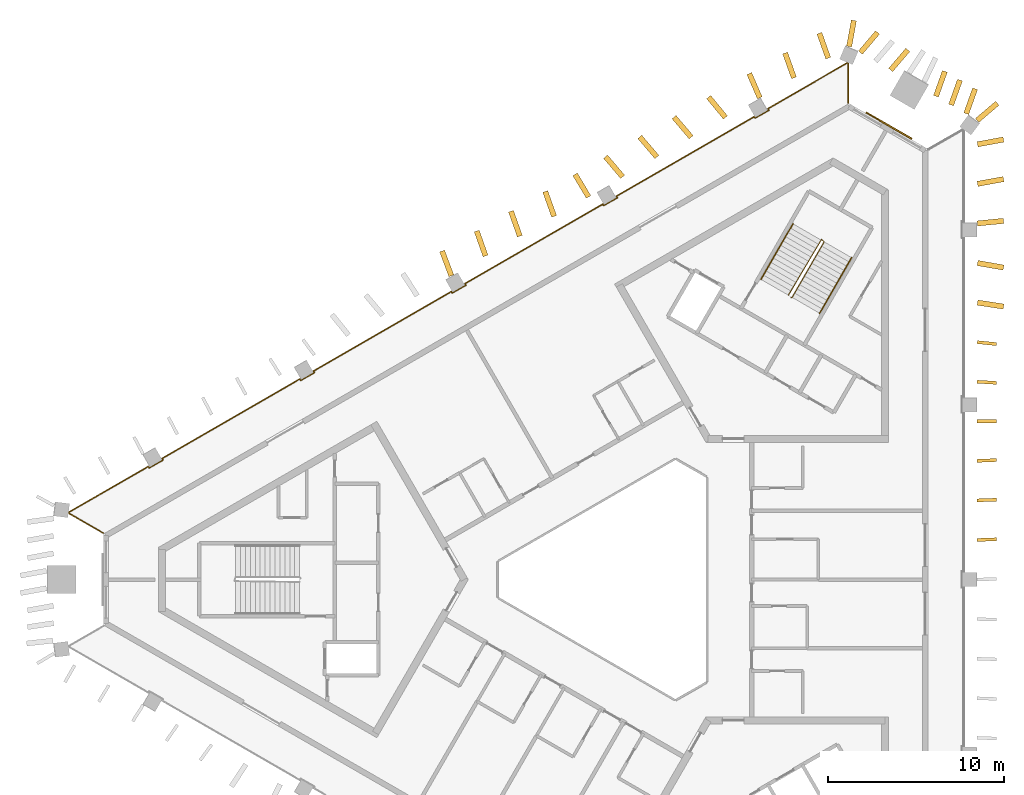
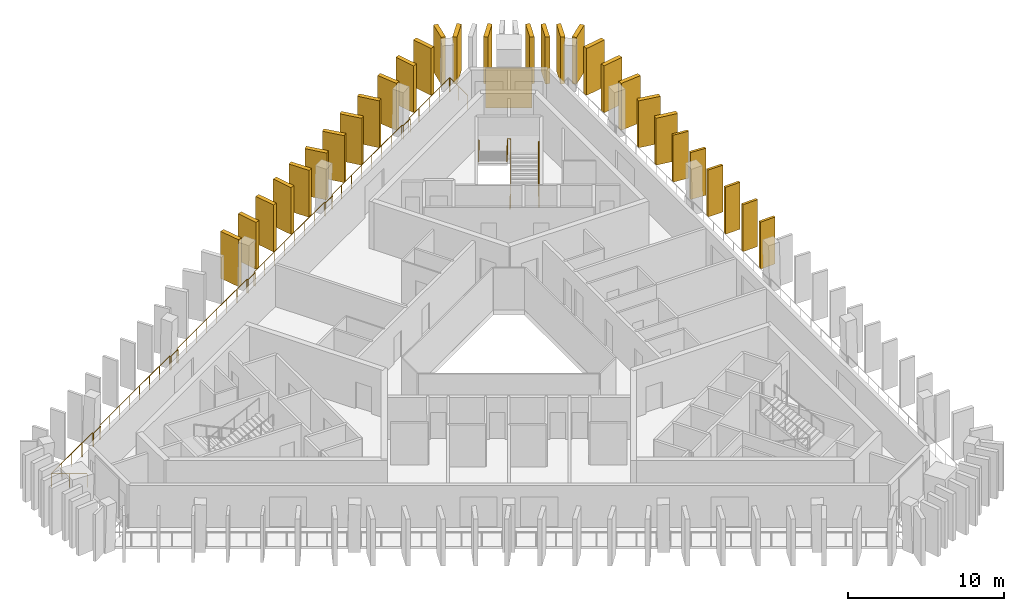
# One storey, part 9 of 10: 30 shading devices, 4 railings, 1 covering.
"""IFC4 building model written with IfcOpenShell, lengths in metres."""

from ifc_helpers import new_model, si_unit, direction, frame, frame_2d, origin, origin_2d, place, context, subcontext, project, spatial, rectangle, circle, extrude, material, layer, layer_set, type_object, element, save


model = new_model("IFC4")

# Units and contexts
model_context = context("Model", 3, precision=1e-05, world=origin(), true_north=direction((0.0, 1.0)))
body_context = subcontext(model_context, "Body", "Model", "MODEL_VIEW")
ifc_project = project(units=[si_unit("LENGTHUNIT", "METRE"), si_unit("AREAUNIT", "SQUARE_METRE"), si_unit("VOLUMEUNIT", "CUBIC_METRE"), si_unit("PLANEANGLEUNIT", "RADIAN"), si_unit("MASSUNIT", "GRAM", prefix="KILO")], contexts=[model_context])

# Site, building, storey
site_placement = place(None, origin())
site = spatial("IfcSite", under=ifc_project, at=site_placement, CompositionType="ELEMENT")
building_placement = place(site_placement, origin())
building = spatial("IfcBuilding", under=site, at=building_placement, Name="Jabali Bay Hotel Tower and Convention Centre", CompositionType="ELEMENT")
storey_placement = place(building_placement, frame((0.0, 0.0, 255.300048828125)))
storey = spatial("IfcBuildingStorey", under=building, at=storey_placement, Name="L62", CompositionType="ELEMENT", Elevation=255.300048828125)

# Railing
ifc_material_1 = material(Name="Glass", Category="glass")
railing_type_1 = type_object("IfcRailingType", Name="Loggia glass guard 1100", PredefinedType="BALUSTRADE", material=ifc_material_1)
railing_1_placement = place(storey_placement, frame((45.265625, 82.6376953125, 0.0)))
element("IfcRailing", 1, at=railing_1_placement, inside=storey, type_object=railing_type_1, Name="Loggia glass guard L62", PredefinedType="BALUSTRADE", context=body_context, shape_type="SweptSolid", body=[
    extrude(circle(Radius=0.02490234375, at=origin_2d()), frame((0.0, 0.0, 1.0751953125), z_axis=(-0.866008641419, 0.500029032144, 0.0), x_axis=(-0.495751214457, -0.85859981744, 0.13052619222)), (0.0, 0.0, 1.0), 2.274658203125),
    extrude(circle(Radius=0.02490234375, at=origin_2d()), frame((-1.969970703125, 1.137451171875, 1.0751953125), z_axis=(0.124034734589, 0.992277876714, 0.0), x_axis=(-0.983788801923, 0.12297360024, 0.13052619222)), (0.0, 0.0, 1.0), 0.037353515625),
    extrude(circle(Radius=0.02490234375, at=origin_2d()), frame((-1.96533203125, 1.174560546875, 1.0751953125), z_axis=(0.866022091585, 0.500005736855, 0.0), x_axis=(-0.495728118462, 0.858613152538, 0.13052619222)), (0.0, 0.0, 1.0), 5.22216796875),
    extrude(circle(Radius=0.02490234375, at=origin_2d()), frame((2.55712890625, 3.78564453125, 1.0751953125), z_axis=(0.4982416694, -0.867038199201, 0.0), x_axis=(0.859620567213, 0.493979142849, 0.13052619222)), (0.0, 0.0, 1.0), 0.099853515625),
    extrude(circle(Radius=0.02490234375, at=origin_2d()), frame((2.60693359375, 3.698974609375, 1.0751953125), z_axis=(0.866081705922, 0.499902469156, 0.0), x_axis=(-0.495625734232, 0.858672256866, 0.13052619222)), (0.0, 0.0, 1.0), 0.900146484375),
    extrude(circle(Radius=0.02490234375, at=origin_2d()), frame((3.386474609375, 4.14892578125, 1.0751953125), z_axis=(-0.500074377092, 0.865982457891, 0.0), x_axis=(-0.858573857916, -0.495796171473, 0.13052619222)), (0.0, 0.0, 1.0), 0.10009765625),
    extrude(circle(Radius=0.02490234375, at=origin_2d()), frame((3.33642578125, 4.235595703125, 1.0751953125), z_axis=(0.866021835202, 0.500006180915, 0.0), x_axis=(-0.495728558723, 0.858612898349, 0.13052619222)), (0.0, 0.0, 1.0), 9.03759765625),
    extrude(circle(Radius=0.02490234375, at=origin_2d()), frame((11.1630859375, 8.75439453125, 1.0751953125), z_axis=(0.4982416694, -0.867038199201, 0.0), x_axis=(0.859620567213, 0.493979142849, 0.13052619222)), (0.0, 0.0, 1.0), 0.099853515625),
    extrude(circle(Radius=0.02490234375, at=origin_2d()), frame((11.212890625, 8.667724609375, 1.0751953125), z_axis=(0.866081705922, 0.499902469156, 0.0), x_axis=(-0.495625734232, 0.858672256866, 0.13052619222)), (0.0, 0.0, 1.0), 0.900146484375),
    extrude(circle(Radius=0.02490234375, at=origin_2d()), frame((11.992431640625, 9.11767578125, 1.0751953125), z_axis=(-0.500074377092, 0.865982457891, 0.0), x_axis=(-0.858573857916, -0.495796171473, 0.13052619222)), (0.0, 0.0, 1.0), 0.10009765625),
    extrude(circle(Radius=0.02490234375, at=origin_2d()), frame((11.9423828125, 9.204345703125, 1.0751953125), z_axis=(0.86603353272, 0.499985920007, 0.0), x_axis=(-0.49570847115, 0.858624495792, 0.13052619222)), (0.0, 0.0, 1.0), 9.037353515625),
    extrude(circle(Radius=0.02490234375, at=origin_2d()), frame((19.76904296875, 13.722900390625, 1.0751953125), z_axis=(0.4982416694, -0.867038199201, 0.0), x_axis=(0.859620567213, 0.493979142849, 0.13052619222)), (0.0, 0.0, 1.0), 0.099853515625),
    extrude(circle(Radius=0.02490234375, at=origin_2d()), frame((19.81884765625, 13.63623046875, 1.0751953125), z_axis=(0.865964261186, 0.500105887137, 0.0), x_axis=(-0.495827411944, 0.858555816886, 0.13052619222)), (0.0, 0.0, 1.0), 0.900146484375),
    extrude(circle(Radius=0.02490234375, at=origin_2d()), frame((20.598388671875, 14.08642578125, 1.0751953125), z_axis=(-0.501132629342, 0.865370491644, 0.0), x_axis=(-0.857967127125, -0.496845370228, 0.13052619222)), (0.0, 0.0, 1.0), 0.099853515625),
    extrude(circle(Radius=0.02490234375, at=origin_2d()), frame((20.54833984375, 14.1728515625, 1.0751953125), z_axis=(0.866021835202, 0.500006180915, 0.0), x_axis=(-0.495728558723, 0.858612898349, 0.13052619222)), (0.0, 0.0, 1.0), 9.03759765625),
    extrude(circle(Radius=0.02490234375, at=origin_2d()), frame((28.375, 18.691650390625, 1.0751953125), z_axis=(0.4982416694, -0.867038199201, 0.0), x_axis=(0.859620567213, 0.493979142849, 0.13052619222)), (0.0, 0.0, 1.0), 0.099853515625),
    extrude(circle(Radius=0.02490234375, at=origin_2d()), frame((28.4248046875, 18.60498046875, 1.0751953125), z_axis=(0.866081705922, 0.499902469156, 0.0), x_axis=(-0.495625734232, 0.858672256866, 0.13052619222)), (0.0, 0.0, 1.0), 0.900146484375),
    extrude(circle(Radius=0.02490234375, at=origin_2d()), frame((29.204345703125, 19.054931640625, 1.0751953125), z_axis=(-0.500074377092, 0.865982457891, 0.0), x_axis=(-0.858573857916, -0.495796171473, 0.13052619222)), (0.0, 0.0, 1.0), 0.10009765625),
    extrude(circle(Radius=0.02490234375, at=origin_2d()), frame((29.154296875, 19.1416015625, 1.0751953125), z_axis=(0.86603353272, 0.499985920007, 0.0), x_axis=(-0.49570847115, 0.858624495792, 0.13052619222)), (0.0, 0.0, 1.0), 9.037353515625),
    extrude(circle(Radius=0.02490234375, at=origin_2d()), frame((36.98095703125, 23.66015625, 1.0751953125), z_axis=(0.499298623879, -0.866429964967, 0.0), x_axis=(0.859017536507, 0.495027054936, 0.13052619222)), (0.0, 0.0, 1.0), 0.099853515625),
    extrude(circle(Radius=0.02490234375, at=origin_2d()), frame((37.03076171875, 23.57373046875, 1.0751953125), z_axis=(0.866081705922, 0.499902469156, 0.0), x_axis=(-0.495625734232, 0.858672256866, 0.13052619222)), (0.0, 0.0, 1.0), 0.900146484375),
    extrude(circle(Radius=0.02490234375, at=origin_2d()), frame((37.810302734375, 24.023681640625, 1.0751953125), z_axis=(-0.501132629342, 0.865370491644, 0.0), x_axis=(-0.857967127125, -0.496845370228, 0.13052619222)), (0.0, 0.0, 1.0), 0.099853515625),
    extrude(circle(Radius=0.02490234375, at=origin_2d()), frame((37.76025390625, 24.110107421875, 1.0751953125), z_axis=(0.866022091585, 0.500005736855, 0.0), x_axis=(-0.495728118462, 0.858613152538, 0.13052619222)), (0.0, 0.0, 1.0), 5.22216796875),
    extrude(circle(Radius=0.02490234375, at=origin_2d()), frame((42.28271484375, 26.72119140625, 1.0751953125), z_axis=(0.920154635629, -0.391555164097, 0.0), x_axis=(0.388205355389, 0.912282585163, 0.13052619222)), (0.0, 0.0, 1.0), 0.037353515625),
    extrude(circle(Radius=0.02490234375, at=origin_2d()), frame((42.317138671875, 26.70654296875, 1.0751953125), z_axis=(0.0, -1.0, 0.0), x_axis=(0.991444861374, 0.0, 0.13052619222)), (0.0, 0.0, 1.0), 2.274658203125),
    extrude(circle(Radius=0.02001953125, at=origin_2d()), origin(), (0.0, 0.0, 1.0), 1.050048828125),
    extrude(circle(Radius=0.02001953125, at=origin_2d()), frame((-0.98486328125, 0.56884765625, 0.0)), (0.0, 0.0, 1.0), 1.050048828125),
    extrude(circle(Radius=0.02001953125, at=origin_2d()), frame((-1.969970703125, 1.137451171875, 0.0)), (0.0, 0.0, 1.0), 1.050048828125),
    extrude(circle(Radius=0.02001953125, at=origin_2d()), frame((-1.96533203125, 1.174560546875, 0.0)), (0.0, 0.0, 1.0), 1.050048828125),
    extrude(circle(Radius=0.02001953125, at=origin_2d()), frame((-0.834716796875, 1.827392578125, 0.0)), (0.0, 0.0, 1.0), 1.050048828125),
    extrude(circle(Radius=0.02001953125, at=origin_2d()), frame((0.2958984375, 2.47998046875, 0.0)), (0.0, 0.0, 1.0), 1.050048828125),
    extrude(circle(Radius=0.02001953125, at=origin_2d()), frame((1.426513671875, 3.1328125, 0.0)), (0.0, 0.0, 1.0), 1.050048828125),
    extrude(circle(Radius=0.02001953125, at=origin_2d()), frame((2.55712890625, 3.78564453125, 0.0)), (0.0, 0.0, 1.0), 1.050048828125),
    extrude(circle(Radius=0.02001953125, at=origin_2d()), frame((2.60693359375, 3.698974609375, 0.0)), (0.0, 0.0, 1.0), 1.050048828125),
    extrude(circle(Radius=0.02001953125, at=origin_2d()), frame((3.386474609375, 4.14892578125, 0.0)), (0.0, 0.0, 1.0), 1.050048828125),
    extrude(circle(Radius=0.02001953125, at=origin_2d()), frame((3.33642578125, 4.235595703125, 0.0)), (0.0, 0.0, 1.0), 1.050048828125),
    extrude(circle(Radius=0.02001953125, at=origin_2d()), frame((4.45458984375, 4.881103515625, 0.0)), (0.0, 0.0, 1.0), 1.050048828125),
    extrude(circle(Radius=0.02001953125, at=origin_2d()), frame((5.572509765625, 5.526611328125, 0.0)), (0.0, 0.0, 1.0), 1.050048828125),
    extrude(circle(Radius=0.02001953125, at=origin_2d()), frame((6.690673828125, 6.172119140625, 0.0)), (0.0, 0.0, 1.0), 1.050048828125),
    extrude(circle(Radius=0.02001953125, at=origin_2d()), frame((7.808837890625, 6.81787109375, 0.0)), (0.0, 0.0, 1.0), 1.050048828125),
    extrude(circle(Radius=0.02001953125, at=origin_2d()), frame((8.927001953125, 7.46337890625, 0.0)), (0.0, 0.0, 1.0), 1.050048828125),
    extrude(circle(Radius=0.02001953125, at=origin_2d()), frame((10.044921875, 8.10888671875, 0.0)), (0.0, 0.0, 1.0), 1.050048828125),
    extrude(circle(Radius=0.02001953125, at=origin_2d()), frame((11.1630859375, 8.75439453125, 0.0)), (0.0, 0.0, 1.0), 1.050048828125),
    extrude(circle(Radius=0.02001953125, at=origin_2d()), frame((11.212890625, 8.667724609375, 0.0)), (0.0, 0.0, 1.0), 1.050048828125),
    extrude(circle(Radius=0.02001953125, at=origin_2d()), frame((11.992431640625, 9.11767578125, 0.0)), (0.0, 0.0, 1.0), 1.050048828125),
    extrude(circle(Radius=0.02001953125, at=origin_2d()), frame((11.9423828125, 9.204345703125, 0.0)), (0.0, 0.0, 1.0), 1.050048828125),
    extrude(circle(Radius=0.02001953125, at=origin_2d()), frame((13.060546875, 9.849853515625, 0.0)), (0.0, 0.0, 1.0), 1.050048828125),
    extrude(circle(Radius=0.02001953125, at=origin_2d()), frame((14.178466796875, 10.495361328125, 0.0)), (0.0, 0.0, 1.0), 1.050048828125),
    extrude(circle(Radius=0.02001953125, at=origin_2d()), frame((15.296630859375, 11.140869140625, 0.0)), (0.0, 0.0, 1.0), 1.050048828125),
    extrude(circle(Radius=0.02001953125, at=origin_2d()), frame((16.414794921875, 11.786376953125, 0.0)), (0.0, 0.0, 1.0), 1.050048828125),
    extrude(circle(Radius=0.02001953125, at=origin_2d()), frame((17.532958984375, 12.431884765625, 0.0)), (0.0, 0.0, 1.0), 1.050048828125),
    extrude(circle(Radius=0.02001953125, at=origin_2d()), frame((18.65087890625, 13.077392578125, 0.0)), (0.0, 0.0, 1.0), 1.050048828125),
    extrude(circle(Radius=0.02001953125, at=origin_2d()), frame((19.76904296875, 13.722900390625, 0.0)), (0.0, 0.0, 1.0), 1.050048828125),
    extrude(circle(Radius=0.02001953125, at=origin_2d()), frame((19.81884765625, 13.63623046875, 0.0)), (0.0, 0.0, 1.0), 1.050048828125),
    extrude(circle(Radius=0.02001953125, at=origin_2d()), frame((20.598388671875, 14.08642578125, 0.0)), (0.0, 0.0, 1.0), 1.050048828125),
    extrude(circle(Radius=0.02001953125, at=origin_2d()), frame((20.54833984375, 14.1728515625, 0.0)), (0.0, 0.0, 1.0), 1.050048828125),
    extrude(circle(Radius=0.02001953125, at=origin_2d()), frame((21.66650390625, 14.818359375, 0.0)), (0.0, 0.0, 1.0), 1.050048828125),
    extrude(circle(Radius=0.02001953125, at=origin_2d()), frame((22.784423828125, 15.4638671875, 0.0)), (0.0, 0.0, 1.0), 1.050048828125),
    extrude(circle(Radius=0.02001953125, at=origin_2d()), frame((23.902587890625, 16.109375, 0.0)), (0.0, 0.0, 1.0), 1.050048828125),
    extrude(circle(Radius=0.02001953125, at=origin_2d()), frame((25.020751953125, 16.755126953125, 0.0)), (0.0, 0.0, 1.0), 1.050048828125),
    extrude(circle(Radius=0.02001953125, at=origin_2d()), frame((26.138916015625, 17.400634765625, 0.0)), (0.0, 0.0, 1.0), 1.050048828125),
    extrude(circle(Radius=0.02001953125, at=origin_2d()), frame((27.2568359375, 18.046142578125, 0.0)), (0.0, 0.0, 1.0), 1.050048828125),
    extrude(circle(Radius=0.02001953125, at=origin_2d()), frame((28.375, 18.691650390625, 0.0)), (0.0, 0.0, 1.0), 1.050048828125),
    extrude(circle(Radius=0.02001953125, at=origin_2d()), frame((28.4248046875, 18.60498046875, 0.0)), (0.0, 0.0, 1.0), 1.050048828125),
    extrude(circle(Radius=0.02001953125, at=origin_2d()), frame((29.204345703125, 19.054931640625, 0.0)), (0.0, 0.0, 1.0), 1.050048828125),
    extrude(circle(Radius=0.02001953125, at=origin_2d()), frame((29.154296875, 19.1416015625, 0.0)), (0.0, 0.0, 1.0), 1.050048828125),
    extrude(circle(Radius=0.02001953125, at=origin_2d()), frame((30.2724609375, 19.787109375, 0.0)), (0.0, 0.0, 1.0), 1.050048828125),
    extrude(circle(Radius=0.02001953125, at=origin_2d()), frame((31.390380859375, 20.4326171875, 0.0)), (0.0, 0.0, 1.0), 1.050048828125),
    extrude(circle(Radius=0.02001953125, at=origin_2d()), frame((32.508544921875, 21.078125, 0.0)), (0.0, 0.0, 1.0), 1.050048828125),
    extrude(circle(Radius=0.02001953125, at=origin_2d()), frame((33.626708984375, 21.7236328125, 0.0)), (0.0, 0.0, 1.0), 1.050048828125),
    extrude(circle(Radius=0.02001953125, at=origin_2d()), frame((34.744873046875, 22.369140625, 0.0)), (0.0, 0.0, 1.0), 1.050048828125),
    extrude(circle(Radius=0.02001953125, at=origin_2d()), frame((35.86279296875, 23.0146484375, 0.0)), (0.0, 0.0, 1.0), 1.050048828125),
    extrude(circle(Radius=0.02001953125, at=origin_2d()), frame((36.98095703125, 23.66015625, 0.0)), (0.0, 0.0, 1.0), 1.050048828125),
    extrude(circle(Radius=0.02001953125, at=origin_2d()), frame((37.03076171875, 23.57373046875, 0.0)), (0.0, 0.0, 1.0), 1.050048828125),
    extrude(circle(Radius=0.02001953125, at=origin_2d()), frame((37.810302734375, 24.023681640625, 0.0)), (0.0, 0.0, 1.0), 1.050048828125),
    extrude(circle(Radius=0.02001953125, at=origin_2d()), frame((37.76025390625, 24.110107421875, 0.0)), (0.0, 0.0, 1.0), 1.050048828125),
    extrude(circle(Radius=0.02001953125, at=origin_2d()), frame((38.890869140625, 24.762939453125, 0.0)), (0.0, 0.0, 1.0), 1.050048828125),
    extrude(circle(Radius=0.02001953125, at=origin_2d()), frame((40.021484375, 25.41552734375, 0.0)), (0.0, 0.0, 1.0), 1.050048828125),
    extrude(circle(Radius=0.02001953125, at=origin_2d()), frame((41.152099609375, 26.068359375, 0.0)), (0.0, 0.0, 1.0), 1.050048828125),
    extrude(circle(Radius=0.02001953125, at=origin_2d()), frame((42.28271484375, 26.72119140625, 0.0)), (0.0, 0.0, 1.0), 1.050048828125),
    extrude(circle(Radius=0.02001953125, at=origin_2d()), frame((42.317138671875, 26.70654296875, 0.0)), (0.0, 0.0, 1.0), 1.050048828125),
    extrude(circle(Radius=0.02001953125, at=origin_2d()), frame((42.317138671875, 25.5693359375, 0.0)), (0.0, 0.0, 1.0), 1.050048828125),
    extrude(circle(Radius=0.02001953125, at=origin_2d()), frame((42.317138671875, 24.431884765625, 0.0)), (0.0, 0.0, 1.0), 1.050048828125),
])

# Shading devices
ifc_material_2 = material(Name="Precast concrete C60", Category="concrete")
ifc_layer_1 = layer(ifc_material_2, 0.179931640625)
ifc_layer_set_1 = layer_set([ifc_layer_1], Name="Precast concrete C60")
shading_device_type_1 = type_object("IfcShadingDeviceType", Name="Precast fin 3680 x 1100", PredefinedType="USERDEFINED", material=ifc_layer_set_1)
for number, where, z_axis, x_axis, name in (
    (2, (94.90478515625, 82.24755859375, 0.010009765625), (0.0, 0.0, 1.0), (0.99932090172, 0.036847461059, 0.0), "Fin L62 012"),
    (3, (94.90478515625, 84.4951171875, 0.010009765625), (0.0, 0.0, 1.0), (0.9993044565, 0.03729079269, 0.0), "Fin L62 013"),
    (4, (94.905029296875, 86.742431640625, 0.010009765625), (0.0, 0.0, 1.0), (0.999236714695, 0.039063896443, 0.0), "Fin L62 014"),
):
    element("IfcShadingDevice", number, at=place(storey_placement, frame(where, z_axis=z_axis, x_axis=x_axis)), inside=storey, type_object=shading_device_type_1, Name=name, ObjectType="FIN", PredefinedType="USERDEFINED", context=body_context, shape_type="SweptSolid", body=[
        extrude(rectangle(XDim=1.099853515625, YDim=0.179931640625, at=frame_2d((0.5498046875, 0.0))), origin(), (0.0, 0.0, 1.0), 3.679931640625),
    ])
shading_device_1_placement = place(storey_placement, frame((94.90185546875, 88.989990234375, 0.010009765625), z_axis=(0.0, 0.0, 1.0), x_axis=(0.999989140267, 0.004660402118, 0.0)))
element("IfcShadingDevice", 5, at=shading_device_1_placement, inside=storey, type_object=shading_device_type_1, Name="Fin L62 015", ObjectType="FIN", PredefinedType="USERDEFINED", context=body_context, shape_type="SweptSolid", body=[
    extrude(rectangle(XDim=1.10009765625, YDim=0.179931640625, at=frame_2d((0.550048828125, 0.0))), origin(), (0.0, 0.0, 1.0), 3.679931640625),
])
for number, where, z_axis, x_axis, name in (
    (6, (94.906982421875, 91.237548828125, 0.010009765625), (0.0, 0.0, 1.0), (0.998162399296, -0.060595582612, 0.0), "Fin L62 016"),
    (7, (94.91064453125, 93.485107421875, 0.010009765625), (0.0, 0.0, 1.0), (0.994797022964, -0.101876803557, 0.0), "Fin L62 017"),
):
    element("IfcShadingDevice", number, at=place(storey_placement, frame(where, z_axis=z_axis, x_axis=x_axis)), inside=storey, type_object=shading_device_type_1, Name=name, ObjectType="FIN", PredefinedType="USERDEFINED", context=body_context, shape_type="SweptSolid", body=[
        extrude(rectangle(XDim=1.099853515625, YDim=0.179931640625, at=frame_2d((0.5498046875, 0.0))), origin(), (0.0, 0.0, 1.0), 3.679931640625),
    ])
ifc_layer_2 = layer(ifc_material_2, 0.300048828125)
ifc_layer_set_2 = layer_set([ifc_layer_2], Name="Precast concrete C60")
shading_device_type_2 = type_object("IfcShadingDeviceType", Name="Precast fin 3680 x 1500", PredefinedType="USERDEFINED", material=ifc_layer_set_2)
for number, where, z_axis, x_axis, name in (
    (8, (94.924072265625, 95.732421875, 0.010009765625), (0.0, 0.0, 1.0), (0.988650391726, -0.150234493178, 0.0), "Fin L62 018"),
    (9, (94.927490234375, 97.97998046875, 0.010009765625), (0.0, 0.0, 1.0), (0.98491763115, -0.173023870751, 0.0), "Fin L62 019"),
    (10, (94.916015625, 100.2275390625, 0.010009765625), (0.0, 0.0, 1.0), (0.995268109832, 0.097166813012, 0.0), "Fin L62 020"),
    (11, (94.928466796875, 102.47509765625, 0.010009765625), (0.0, 0.0, 1.0), (0.983603189001, 0.180346240843, 0.0), "Fin L62 021"),
    (12, (94.928466796875, 104.72265625, 0.010009765625), (0.0, 0.0, 1.0), (0.983545395653, 0.180661159883, 0.0), "Fin L62 022"),
    (13, (94.28564453125, 106.464111328125, 0.010009765625), (0.0, 0.0, 1.0), (0.335305076677, 0.942109603791, 0.0), "Fin L62 023"),
):
    element("IfcShadingDevice", number, at=place(storey_placement, frame(where, z_axis=z_axis, x_axis=x_axis)), inside=storey, type_object=shading_device_type_2, Name=name, ObjectType="FIN", PredefinedType="USERDEFINED", context=body_context, shape_type="SweptSolid", body=[
        extrude(rectangle(XDim=1.5, YDim=0.300048828125, at=frame_2d((0.75, 0.0))), origin(), (0.0, 0.0, 1.0), 3.679931640625),
    ])
shading_device_2_placement = place(storey_placement, frame((93.427001953125, 106.959716796875, 0.010009765625), z_axis=(0.0, 0.0, 1.0), x_axis=(0.335253666146, 0.94212789967, 0.0)))
element("IfcShadingDevice", 14, at=shading_device_2_placement, inside=storey, type_object=shading_device_type_2, Name="Fin L62 024", ObjectType="FIN", PredefinedType="USERDEFINED", context=body_context, shape_type="SweptSolid", body=[
    extrude(rectangle(XDim=1.500244140625, YDim=0.300048828125, at=frame_2d((0.75, 0.0))), origin(), (0.0, 0.0, 1.0), 3.679931640625),
])
shading_device_3_placement = place(storey_placement, frame((92.568603515625, 107.455322265625, 0.010009765625), z_axis=(0.0, 0.0, 1.0), x_axis=(0.335109201498, 0.942179294546, 0.0)))
element("IfcShadingDevice", 15, at=shading_device_3_placement, inside=storey, type_object=shading_device_type_2, Name="Fin L62 025", ObjectType="FIN", PredefinedType="USERDEFINED", context=body_context, shape_type="SweptSolid", body=[
    extrude(rectangle(XDim=1.5, YDim=0.300048828125, at=frame_2d((0.75, 0.0))), origin(), (0.0, 0.0, 1.0), 3.679931640625),
])
shading_device_4_placement = place(storey_placement, frame((89.992919921875, 108.942626953125, 0.010009765625), z_axis=(0.0, 0.0, 1.0), x_axis=(0.648361637363, 0.761332507644, 0.0)))
element("IfcShadingDevice", 16, at=shading_device_4_placement, inside=storey, type_object=shading_device_type_2, Name="Fin L62 028", ObjectType="FIN", PredefinedType="USERDEFINED", context=body_context, shape_type="SweptSolid", body=[
    extrude(rectangle(XDim=1.499755859375, YDim=0.300048828125, at=frame_2d((0.75, 0.0))), origin(), (0.0, 0.0, 1.0), 3.679931640625),
])
shading_device_5_placement = place(storey_placement, frame((88.275634765625, 109.933837890625, 0.010009765625), z_axis=(0.0, 0.0, 1.0), x_axis=(0.64837563468, 0.761320587107, 0.0)))
element("IfcShadingDevice", 17, at=shading_device_5_placement, inside=storey, type_object=shading_device_type_2, Name="Fin L62 030", ObjectType="FIN", PredefinedType="USERDEFINED", context=body_context, shape_type="SweptSolid", body=[
    extrude(rectangle(XDim=1.500244140625, YDim=0.300048828125, at=frame_2d((0.75, 0.0))), origin(), (0.0, 0.0, 1.0), 3.679931640625),
])
shading_device_6_placement = place(storey_placement, frame((86.446044921875, 109.619873046875, 0.010009765625), z_axis=(0.0, 0.0, 1.0), x_axis=(-0.335109201498, 0.942179294546, 0.0)))
element("IfcShadingDevice", 18, at=shading_device_6_placement, inside=storey, type_object=shading_device_type_2, Name="Fin L62 031", ObjectType="FIN", PredefinedType="USERDEFINED", context=body_context, shape_type="SweptSolid", body=[
    extrude(rectangle(XDim=1.5, YDim=0.300048828125, at=frame_2d((0.75, 0.0))), origin(), (0.0, 0.0, 1.0), 3.679931640625),
])
for number, where, z_axis, x_axis, name in (
    (19, (84.499755859375, 108.49609375, 0.010009765625), (0.0, 0.0, 1.0), (-0.335253666146, 0.94212789967, 0.0), "Fin L62 032"),
    (20, (82.558349609375, 107.36376953125, 0.010009765625), (0.0, 0.0, 1.0), (-0.397589168562, 0.917563541692, 0.0), "Fin L62 033"),
):
    element("IfcShadingDevice", number, at=place(storey_placement, frame(where, z_axis=z_axis, x_axis=x_axis)), inside=storey, type_object=shading_device_type_2, Name=name, ObjectType="FIN", PredefinedType="USERDEFINED", context=body_context, shape_type="SweptSolid", body=[
        extrude(rectangle(XDim=1.500244140625, YDim=0.300048828125, at=frame_2d((0.75, 0.0))), origin(), (0.0, 0.0, 1.0), 3.679931640625),
    ])
shading_device_7_placement = place(storey_placement, frame((80.608154296875, 106.24658203125, 0.010009765625), z_axis=(0.0, 0.0, 1.0), x_axis=(-0.635707252861, 0.771930235617, 0.0)))
element("IfcShadingDevice", 21, at=shading_device_7_placement, inside=storey, type_object=shading_device_type_2, Name="Fin L62 034", ObjectType="FIN", PredefinedType="USERDEFINED", context=body_context, shape_type="SweptSolid", body=[
    extrude(rectangle(XDim=1.5, YDim=0.300048828125, at=frame_2d((0.75, 0.0))), origin(), (0.0, 0.0, 1.0), 3.679931640625),
])
for number, where, z_axis, x_axis, name in (
    (22, (78.660400390625, 105.125, 0.010009765625), (0.0, 0.0, 1.0), (-0.648361637363, 0.761332507644, 0.0), "Fin L62 035"),
    (23, (76.714111328125, 104.001220703125, 0.010009765625), (0.0, 0.0, 1.0), (-0.648361637363, 0.761332507644, 0.0), "Fin L62 036"),
):
    element("IfcShadingDevice", number, at=place(storey_placement, frame(where, z_axis=z_axis, x_axis=x_axis)), inside=storey, type_object=shading_device_type_2, Name=name, ObjectType="FIN", PredefinedType="USERDEFINED", context=body_context, shape_type="SweptSolid", body=[
        extrude(rectangle(XDim=1.499755859375, YDim=0.300048828125, at=frame_2d((0.75, 0.0))), origin(), (0.0, 0.0, 1.0), 3.679931640625),
    ])
shading_device_8_placement = place(storey_placement, frame((74.767822265625, 102.87744140625, 0.010009765625), z_axis=(0.0, 0.0, 1.0), x_axis=(-0.64837563468, 0.761320587107, 0.0)))
element("IfcShadingDevice", 24, at=shading_device_8_placement, inside=storey, type_object=shading_device_type_2, Name="Fin L62 037", ObjectType="FIN", PredefinedType="USERDEFINED", context=body_context, shape_type="SweptSolid", body=[
    extrude(rectangle(XDim=1.500244140625, YDim=0.300048828125, at=frame_2d((0.75, 0.0))), origin(), (0.0, 0.0, 1.0), 3.679931640625),
])
shading_device_9_placement = place(storey_placement, frame((72.833740234375, 101.732177734375, 0.010009765625), z_axis=(0.0, 0.0, 1.0), x_axis=(-0.512771115683, 0.858525353686, 0.0)))
element("IfcShadingDevice", 25, at=shading_device_9_placement, inside=storey, type_object=shading_device_type_2, Name="Fin L62 038", ObjectType="FIN", PredefinedType="USERDEFINED", context=body_context, shape_type="SweptSolid", body=[
    extrude(rectangle(XDim=1.499755859375, YDim=0.300048828125, at=frame_2d((0.75, 0.0))), origin(), (0.0, 0.0, 1.0), 3.679931640625),
])
shading_device_10_placement = place(storey_placement, frame((70.875, 100.6298828125, 0.010009765625), z_axis=(0.0, 0.0, 1.0), x_axis=(-0.335253666146, 0.94212789967, 0.0)))
element("IfcShadingDevice", 26, at=shading_device_10_placement, inside=storey, type_object=shading_device_type_2, Name="Fin L62 039", ObjectType="FIN", PredefinedType="USERDEFINED", context=body_context, shape_type="SweptSolid", body=[
    extrude(rectangle(XDim=1.500244140625, YDim=0.300048828125, at=frame_2d((0.75, 0.0))), origin(), (0.0, 0.0, 1.0), 3.679931640625),
])
shading_device_11_placement = place(storey_placement, frame((68.928466796875, 99.506103515625, 0.010009765625), z_axis=(0.0, 0.0, 1.0), x_axis=(-0.335109201498, 0.942179294546, 0.0)))
element("IfcShadingDevice", 27, at=shading_device_11_placement, inside=storey, type_object=shading_device_type_2, Name="Fin L62 040", ObjectType="FIN", PredefinedType="USERDEFINED", context=body_context, shape_type="SweptSolid", body=[
    extrude(rectangle(XDim=1.5, YDim=0.300048828125, at=frame_2d((0.75, 0.0))), origin(), (0.0, 0.0, 1.0), 3.679931640625),
])
shading_device_12_placement = place(storey_placement, frame((66.982177734375, 98.38232421875, 0.010009765625), z_axis=(0.0, 0.0, 1.0), x_axis=(-0.335253666146, 0.94212789967, 0.0)))
element("IfcShadingDevice", 28, at=shading_device_12_placement, inside=storey, type_object=shading_device_type_2, Name="Fin L62 041", ObjectType="FIN", PredefinedType="USERDEFINED", context=body_context, shape_type="SweptSolid", body=[
    extrude(rectangle(XDim=1.500244140625, YDim=0.300048828125, at=frame_2d((0.75, 0.0))), origin(), (0.0, 0.0, 1.0), 3.679931640625),
])
for number, where, z_axis, x_axis, name in (
    (29, (65.037109375, 97.25634765625, 0.010009765625), (0.0, 0.0, 1.0), (-0.351069931395, 0.936349242148, 0.0), "Fin L62 042"),
    (30, (94.907958984375, 106.0810546875, 0.010009765625), (0.0, 0.0, 1.0), (0.761400924151, 0.648281291341, 0.0), "Fin L62 094"),
    (31, (87.6328125, 110.281494140625, 0.010009765625), (0.0, 0.0, 1.0), (0.180818598576, 0.98351646372, 0.0), "Fin L62 095"),
):
    element("IfcShadingDevice", number, at=place(storey_placement, frame(where, z_axis=z_axis, x_axis=x_axis)), inside=storey, type_object=shading_device_type_2, Name=name, ObjectType="FIN", PredefinedType="USERDEFINED", context=body_context, shape_type="SweptSolid", body=[
        extrude(rectangle(XDim=1.5, YDim=0.300048828125, at=frame_2d((0.75, 0.0))), origin(), (0.0, 0.0, 1.0), 3.679931640625),
    ])

# Covering
ifc_material_3 = material(Name="Precast concrete C40/50", Category="concrete")
ifc_layer_3 = layer(ifc_material_3, 0.080078125)
ifc_layer_set_3 = layer_set([ifc_layer_3], Name="Precast concrete C40/50")
covering_type = type_object("IfcCoveringType", Name="Relief panel 3000 x 3100", PredefinedType="CLADDING", material=ifc_layer_set_3)
covering_placement = place(storey_placement, frame((89.88720703125, 105.785400390625, 0.099853515625), z_axis=(0.0, 0.0, 1.0), x_axis=(0.866025366565, -0.500000064465, 0.0)))
element("IfcCovering", 32, at=covering_placement, inside=storey, type_object=covering_type, Name="Relief panel L62", PredefinedType="CLADDING", context=body_context, shape_type="SweptSolid", body=[
    extrude(rectangle(XDim=3.0, YDim=0.080078125, at=origin_2d()), origin(), (0.0, 0.0, 1.0), 3.10009765625),
])

# Railings
ifc_material_4 = material(Name="Steel Q355B", Category="steel")
railing_type_2 = type_object("IfcRailingType", Name="Stair guard 1100", PredefinedType="GUARDRAIL", material=ifc_material_4)
railing_2_placement = place(storey_placement, frame((84.329833984375, 96.010009765625, 0.0)))
element("IfcRailing", 33, at=railing_2_placement, inside=storey, type_object=railing_type_2, Name="L62 ST2 stair guard 1", PredefinedType="GUARDRAIL", context=body_context, shape_type="SweptSolid", body=[
    extrude(circle(Radius=0.02392578125, at=origin_2d()), frame((0.0, 0.0, 1.076171875), z_axis=(0.456201556387, 0.122196845461, 0.881446578591), x_axis=(-0.258736085224, 0.965948051503, 0.0)), (0.0, 0.0, 1.0), 0.14990234375),
    extrude(circle(Radius=0.02392578125, at=origin_2d()), frame((0.068359375, 0.018310546875, 1.2080078125), z_axis=(0.452190331055, 0.783190014029, 0.426775475427), x_axis=(-0.866018046521, 0.500012742938, 0.0)), (0.0, 0.0, 1.0), 4.02490234375),
    extrude(circle(Radius=0.02392578125, at=origin_2d()), frame((1.888427734375, 3.170654296875, 2.92578125), z_axis=(-0.718850276695, 0.695164929852, 0.0), x_axis=(-0.695164929852, -0.718850276695, 0.0)), (0.0, 0.0, 1.0), 0.2060546875),
    extrude(circle(Radius=0.02392578125, at=origin_2d()), frame((1.740234375, 3.31396484375, 2.92578125), z_axis=(-0.457445338502, -0.768046879266, 0.448160410493), x_axis=(0.859157857954, -0.511710636118, 0.0)), (0.0, 0.0, 1.0), 4.128173828125),
    extrude(circle(Radius=0.02099609375, at=origin_2d()), origin(), (0.0, 0.0, 1.0), 1.052001953125),
    extrude(circle(Radius=0.02099609375, at=origin_2d()), frame((0.068359375, 0.018310546875, 0.132080078125)), (0.0, 0.0, 1.0), 1.052001953125),
    extrude(circle(Radius=0.02099609375, at=origin_2d()), frame((0.5234375, 0.806396484375, 0.5615234375)), (0.0, 0.0, 1.0), 1.052001953125),
    extrude(circle(Radius=0.02099609375, at=origin_2d()), frame((0.978515625, 1.594482421875, 0.990966796875)), (0.0, 0.0, 1.0), 1.052001953125),
    extrude(circle(Radius=0.02099609375, at=origin_2d()), frame((1.433349609375, 2.382568359375, 1.42041015625)), (0.0, 0.0, 1.0), 1.052001953125),
    extrude(circle(Radius=0.02099609375, at=origin_2d()), frame((1.888427734375, 3.170654296875, 1.849853515625)), (0.0, 0.0, 1.0), 1.052001953125),
    extrude(circle(Radius=0.02099609375, at=origin_2d()), frame((1.740234375, 3.31396484375, 1.849853515625)), (0.0, 0.0, 1.0), 1.052001953125),
    extrude(circle(Radius=0.02099609375, at=origin_2d()), frame((1.26806640625, 2.521240234375, 2.3125)), (0.0, 0.0, 1.0), 1.052001953125),
    extrude(circle(Radius=0.02099609375, at=origin_2d()), frame((0.7958984375, 1.728515625, 2.77490234375)), (0.0, 0.0, 1.0), 1.052001953125),
    extrude(circle(Radius=0.02099609375, at=origin_2d()), frame((0.323974609375, 0.93603515625, 3.2373046875)), (0.0, 0.0, 1.0), 1.052001953125),
    extrude(circle(Radius=0.02099609375, at=origin_2d()), frame((-0.148193359375, 0.143310546875, 3.699951171875)), (0.0, 0.0, 1.0), 1.052001953125),
])
railing_type_3 = type_object("IfcRailingType", Name="Stair handrail 900", PredefinedType="HANDRAIL", material=ifc_material_4)
railing_3_placement = place(storey_placement, frame((85.95703125, 95.128173828125, 0.132080078125)))
element("IfcRailing", 34, at=railing_3_placement, inside=storey, type_object=railing_type_3, Name="L62 ST2 stair handrail 1", PredefinedType="HANDRAIL", context=body_context, shape_type="SweptSolid", body=[
    extrude(circle(Radius=0.02392578125, at=origin_2d()), frame((0.0, 0.0, 0.8759765625), z_axis=(0.452190331055, 0.783190014029, 0.426775475427), x_axis=(-0.866018046521, 0.500012742938, 0.0)), (0.0, 0.0, 1.0), 4.02490234375),
    extrude(circle(Radius=0.02099609375, at=origin_2d()), origin(), (0.0, 0.0, 1.0), 0.851806640625),
    extrude(circle(Radius=0.02099609375, at=origin_2d()), frame((0.455078125, 0.7880859375, 0.429443359375)), (0.0, 0.0, 1.0), 0.851806640625),
    extrude(circle(Radius=0.02099609375, at=origin_2d()), frame((0.91015625, 1.576171875, 0.85888671875)), (0.0, 0.0, 1.0), 0.851806640625),
    extrude(circle(Radius=0.02099609375, at=origin_2d()), frame((1.364990234375, 2.3642578125, 1.288330078125)), (0.0, 0.0, 1.0), 0.851806640625),
    extrude(circle(Radius=0.02099609375, at=origin_2d()), frame((1.820068359375, 3.15234375, 1.7177734375)), (0.0, 0.0, 1.0), 0.851806640625),
])
railing_4_placement = place(storey_placement, frame((84.44287109375, 100.20556640625, 1.982177734375)))
element("IfcRailing", 35, at=railing_4_placement, inside=storey, type_object=railing_type_3, Name="L62 ST2 stair handrail 2", PredefinedType="HANDRAIL", context=body_context, shape_type="SweptSolid", body=[
    extrude(circle(Radius=0.02392578125, at=origin_2d()), frame((0.0, 0.0, 0.8759765625), z_axis=(-0.452190331055, -0.783190014029, 0.426775475427), x_axis=(0.866018046521, -0.500012742938, 0.0)), (0.0, 0.0, 1.0), 4.02490234375),
    extrude(circle(Radius=0.02099609375, at=origin_2d()), origin(), (0.0, 0.0, 1.0), 0.851806640625),
    extrude(circle(Radius=0.02099609375, at=origin_2d()), frame((-0.455078125, -0.7880859375, 0.429443359375)), (0.0, 0.0, 1.0), 0.851806640625),
    extrude(circle(Radius=0.02099609375, at=origin_2d()), frame((-0.91015625, -1.576171875, 0.85888671875)), (0.0, 0.0, 1.0), 0.851806640625),
    extrude(circle(Radius=0.02099609375, at=origin_2d()), frame((-1.364990234375, -2.3642578125, 1.288330078125)), (0.0, 0.0, 1.0), 0.851806640625),
    extrude(circle(Radius=0.02099609375, at=origin_2d()), frame((-1.820068359375, -3.15234375, 1.7177734375)), (0.0, 0.0, 1.0), 0.851806640625),
])

save(model, "model.ifc")
